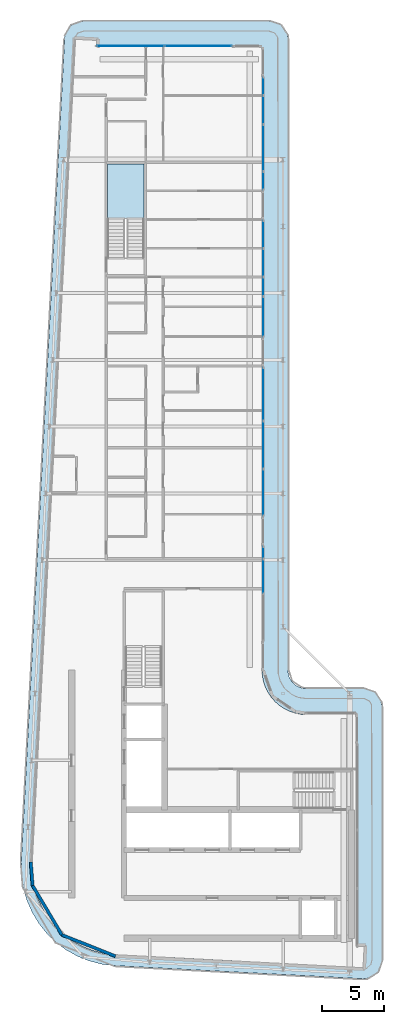
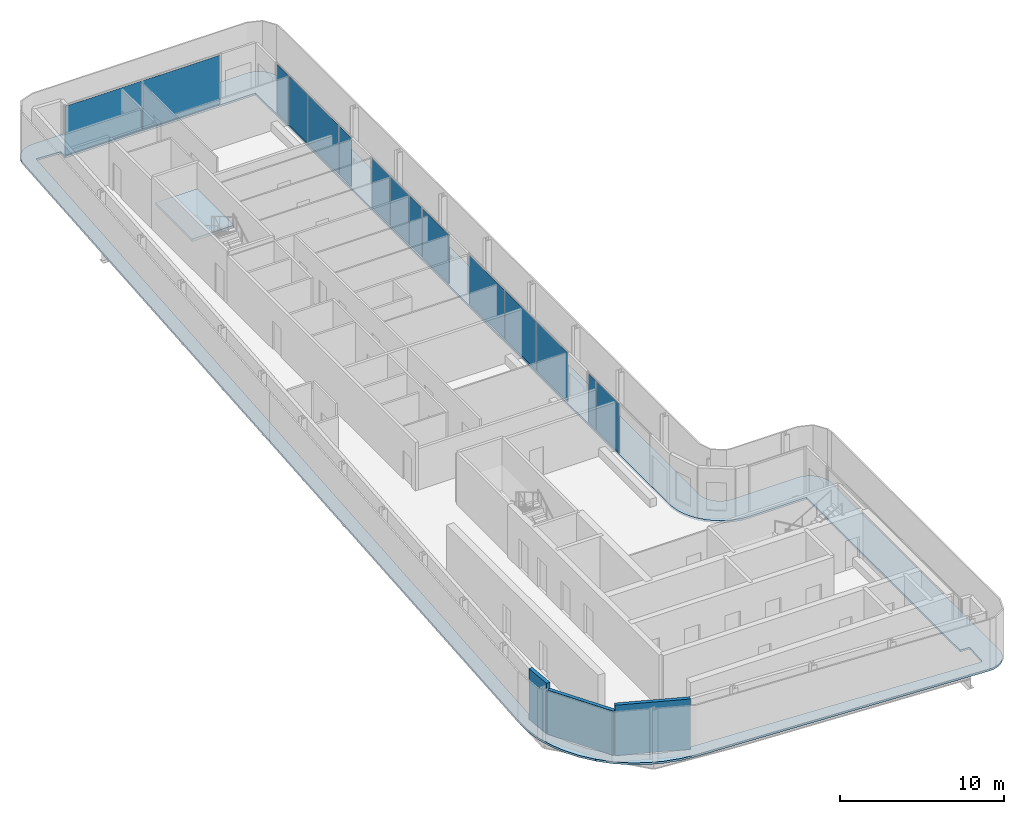
# One storey, part 8 of 18: 15 plates, 3 walls, 2 slabs, 9 elements without a shape of their own.
"""IFC4 building model written with IfcOpenShell, lengths in metres."""

from ifc_helpers import new_model, si_unit, direction, frame, frame_2d, origin, origin_2d, place, context, subcontext, project, spatial, polyline, rectangle, outline, extrude, material, layer, layer_set, type_object, element, aggregate, save


model = new_model("IFC4")

# Units and contexts
model_context = context("Model", 3, precision=1e-05, world=origin(), true_north=direction((0.0, 1.0)))
body_context = subcontext(model_context, "Body", "Model", "MODEL_VIEW")
ifc_project = project(units=[si_unit("LENGTHUNIT", "METRE"), si_unit("AREAUNIT", "SQUARE_METRE"), si_unit("VOLUMEUNIT", "CUBIC_METRE"), si_unit("PLANEANGLEUNIT", "RADIAN"), si_unit("MASSUNIT", "GRAM", prefix="KILO")], contexts=[model_context])

# Site, building, storey
site_placement = place(None, origin())
site = spatial("IfcSite", under=ifc_project, at=site_placement, CompositionType="ELEMENT")
building_placement = place(site_placement, origin())
building = spatial("IfcBuilding", under=site, at=building_placement, Name="Kheshtan School and Residences Tower", CompositionType="ELEMENT")
storey_placement = place(building_placement, frame((0.0, 0.0, 361.699951171875)))
storey = spatial("IfcBuildingStorey", under=building, at=storey_placement, Name="L85", CompositionType="ELEMENT", Elevation=361.699951171875)

# Curtain wall, plates
ifc_material_1 = material(Name="Clear low-e glass in thermally broken aluminium frame", Category="aluminium")
ifc_layer_1 = layer(ifc_material_1, 0.199951171875)
ifc_layer_set_1 = layer_set([ifc_layer_1], Name="Curtain wall CW-L")
curtain_wall_type = type_object("IfcCurtainWallType", Name="Curtain wall CW-L", PredefinedType="NOTDEFINED", material=ifc_layer_set_1)
curtain_wall_1_placement = place(storey_placement, origin())
curtain_wall_1 = element("IfcCurtainWall", 1, at=curtain_wall_1_placement, inside=storey, type_object=curtain_wall_type, Name="Curtain wall CWL7", PredefinedType="NOTDEFINED")
ifc_layer_2 = layer(ifc_material_1, 0.031982421875)
ifc_layer_set_2 = layer_set([ifc_layer_2], Name="CW-L glass panel")
plate_type = type_object("IfcPlateType", Name="CW-L glass panel", PredefinedType="CURTAIN_PANEL", material=ifc_layer_set_2)
plate_1_placement = place(storey_placement, frame((35.259033203125, 98.0, 0.0), z_axis=(0.0, 0.0, 1.0), x_axis=(1.0, 0.0, 0.0)))
plate_1 = element("IfcPlate", 2, at=plate_1_placement, type_object=plate_type, Name="CWL7 panel 1.1", PredefinedType="CURTAIN_PANEL", context=body_context, shape_type="SweptSolid", body=[
    extrude(rectangle(XDim=5.4140625, YDim=0.031982421875, at=origin_2d()), origin(), (0.0, 0.0, 1.0), 3.6298828125),
])
plate_2_placement = place(storey_placement, frame((40.73291015625, 98.0, 0.0), z_axis=(0.0, 0.0, 1.0), x_axis=(1.0, 0.0, 0.0)))
plate_2 = element("IfcPlate", 3, at=plate_2_placement, type_object=plate_type, Name="CWL7 panel 2.1", PredefinedType="CURTAIN_PANEL", context=body_context, shape_type="SweptSolid", body=[
    extrude(rectangle(XDim=5.4140625, YDim=0.031982421875, at=origin_2d()), origin(), (0.0, 0.0, 1.0), 3.6298828125),
])
aggregate(curtain_wall_1, [plate_1, plate_2])

curtain_wall_2_placement = place(storey_placement, origin())
curtain_wall_2 = element("IfcCurtainWall", 4, at=curtain_wall_2_placement, inside=storey, type_object=curtain_wall_type, Name="Curtain wall CWL8c", PredefinedType="NOTDEFINED")
plate_3_placement = place(storey_placement, frame((46.0, 94.735107421875, 0.0), z_axis=(0.0, 0.0, 1.0), x_axis=(0.0, -1.0, 0.0)))
plate_3 = element("IfcPlate", 5, at=plate_3_placement, type_object=plate_type, Name="CWL8c panel 1.1", PredefinedType="CURTAIN_PANEL", context=body_context, shape_type="SweptSolid", body=[
    extrude(rectangle(XDim=1.409912109375, YDim=0.031982421875, at=origin_2d()), origin(), (0.0, 0.0, 1.0), 3.6298828125),
])
plate_4_placement = place(storey_placement, frame((46.0, 92.826416015625, 0.0), z_axis=(0.0, 0.0, 1.0), x_axis=(0.0, -1.0, 0.0)))
plate_4 = element("IfcPlate", 6, at=plate_4_placement, type_object=plate_type, Name="CWL8c panel 2.1", PredefinedType="CURTAIN_PANEL", context=body_context, shape_type="SweptSolid", body=[
    extrude(rectangle(XDim=2.287109375, YDim=0.031982421875, at=origin_2d()), origin(), (0.0, 0.0, 1.0), 3.6298828125),
])
plate_5_placement = place(storey_placement, frame((46.0, 89.744384765625, 0.0), z_axis=(0.0, 0.0, 1.0), x_axis=(0.0, -1.0, 0.0)))
plate_5 = element("IfcPlate", 7, at=plate_5_placement, type_object=plate_type, Name="CWL8c panel 3.1", PredefinedType="CURTAIN_PANEL", context=body_context, shape_type="SweptSolid", body=[
    extrude(rectangle(XDim=3.757080078125, YDim=0.031982421875, at=origin_2d()), origin(), (0.0, 0.0, 1.0), 3.6298828125),
])
aggregate(curtain_wall_2, [plate_3, plate_4, plate_5])

# Curtain wall, plate
curtain_wall_3_placement = place(storey_placement, origin())
curtain_wall_3 = element("IfcCurtainWall", 8, at=curtain_wall_3_placement, inside=storey, type_object=curtain_wall_type, Name="Curtain wall CWL8a", PredefinedType="NOTDEFINED")
plate_6_placement = place(storey_placement, frame((46.0, 87.0859375, 0.0), z_axis=(0.0, 0.0, 1.0), x_axis=(0.0, -1.0, 0.0)))
plate_6 = element("IfcPlate", 9, at=plate_6_placement, type_object=plate_type, Name="CWL8a panel 1.1", PredefinedType="CURTAIN_PANEL", context=body_context, shape_type="SweptSolid", body=[
    extrude(rectangle(XDim=1.43994140625, YDim=0.031982421875, at=origin_2d()), origin(), (0.0, 0.0, 1.0), 3.6298828125),
])
aggregate(curtain_wall_3, [plate_6])

# Curtain wall, plates
curtain_wall_4_placement = place(storey_placement, origin())
curtain_wall_4 = element("IfcCurtainWall", 10, at=curtain_wall_4_placement, inside=storey, type_object=curtain_wall_type, Name="Curtain wall CWL8b", PredefinedType="NOTDEFINED")
plate_7_placement = place(storey_placement, frame((46.0, 82.75048828125, 0.0), z_axis=(0.0, 0.0, 1.0), x_axis=(0.0, -1.0, 0.0)))
plate_7 = element("IfcPlate", 11, at=plate_7_placement, type_object=plate_type, Name="CWL8b panel 1.1", PredefinedType="CURTAIN_PANEL", context=body_context, shape_type="SweptSolid", body=[
    extrude(rectangle(XDim=2.19091796875, YDim=0.031982421875, at=origin_2d()), origin(), (0.0, 0.0, 1.0), 3.6298828125),
])
plate_8_placement = place(storey_placement, frame((46.0, 80.46240234375, 0.0), z_axis=(0.0, 0.0, 1.0), x_axis=(0.0, -1.0, 0.0)))
plate_8 = element("IfcPlate", 12, at=plate_8_placement, type_object=plate_type, Name="CWL8b panel 2.1", PredefinedType="CURTAIN_PANEL", context=body_context, shape_type="SweptSolid", body=[
    extrude(rectangle(XDim=2.264892578125, YDim=0.031982421875, at=origin_2d()), origin(), (0.0, 0.0, 1.0), 3.6298828125),
])
plate_9_placement = place(storey_placement, frame((46.0, 78.52099609375, 0.0), z_axis=(0.0, 0.0, 1.0), x_axis=(0.0, -1.0, 0.0)))
plate_9 = element("IfcPlate", 13, at=plate_9_placement, type_object=plate_type, Name="CWL8b panel 3.1", PredefinedType="CURTAIN_PANEL", context=body_context, shape_type="SweptSolid", body=[
    extrude(rectangle(XDim=1.498046875, YDim=0.031982421875, at=origin_2d()), origin(), (0.0, 0.0, 1.0), 3.6298828125),
])
aggregate(curtain_wall_4, [plate_7, plate_8, plate_9])

# Curtain wall, plate
curtain_wall_5_placement = place(storey_placement, origin())
curtain_wall_5 = element("IfcCurtainWall", 14, at=curtain_wall_5_placement, inside=storey, type_object=curtain_wall_type, Name="Curtain wall CWL8q", PredefinedType="NOTDEFINED")
plate_10_placement = place(storey_placement, frame((46.0, 76.092041015625, 0.0), z_axis=(0.0, 0.0, 1.0), x_axis=(0.0, -1.0, 0.0)))
plate_10 = element("IfcPlate", 15, at=plate_10_placement, type_object=plate_type, Name="CWL8q panel 1.1", PredefinedType="CURTAIN_PANEL", context=body_context, shape_type="SweptSolid", body=[
    extrude(rectangle(XDim=3.239990234375, YDim=0.031982421875, at=origin_2d()), origin(), (0.0, 0.0, 1.0), 3.6298828125),
])
aggregate(curtain_wall_5, [plate_10])

curtain_wall_6_placement = place(storey_placement, origin())
curtain_wall_6 = element("IfcCurtainWall", 16, at=curtain_wall_6_placement, inside=storey, type_object=curtain_wall_type, Name="Curtain wall CWL8r", PredefinedType="NOTDEFINED")
plate_11_placement = place(storey_placement, frame((46.0, 69.81494140625, 0.0), z_axis=(0.0, 0.0, 1.0), x_axis=(0.0, -1.0, 0.0)))
plate_11 = element("IfcPlate", 17, at=plate_11_placement, type_object=plate_type, Name="CWL8r panel 1.1", PredefinedType="CURTAIN_PANEL", context=body_context, shape_type="SweptSolid", body=[
    extrude(rectangle(XDim=4.27392578125, YDim=0.031982421875, at=origin_2d()), origin(), (0.0, 0.0, 1.0), 3.6298828125),
])
aggregate(curtain_wall_6, [plate_11])

# Curtain wall, plates
curtain_wall_7_placement = place(storey_placement, origin())
curtain_wall_7 = element("IfcCurtainWall", 18, at=curtain_wall_7_placement, inside=storey, type_object=curtain_wall_type, Name="Curtain wall CWL8", PredefinedType="NOTDEFINED")
plate_12_placement = place(storey_placement, frame((46.0, 65.70947265625, 0.0), z_axis=(0.0, 0.0, 1.0), x_axis=(0.0, -1.0, 0.0)))
plate_12 = element("IfcPlate", 19, at=plate_12_placement, type_object=plate_type, Name="CWL8 panel 1.1", PredefinedType="CURTAIN_PANEL", context=body_context, shape_type="SweptSolid", body=[
    extrude(rectangle(XDim=3.81689453125, YDim=0.031982421875, at=origin_2d()), origin(), (0.0, 0.0, 1.0), 3.6298828125),
])
plate_13_placement = place(storey_placement, frame((46.0, 61.862548828125, 0.0), z_axis=(0.0, 0.0, 1.0), x_axis=(0.0, -1.0, 0.0)))
plate_13 = element("IfcPlate", 20, at=plate_13_placement, type_object=plate_type, Name="CWL8 panel 2.1", PredefinedType="CURTAIN_PANEL", context=body_context, shape_type="SweptSolid", body=[
    extrude(rectangle(XDim=3.757080078125, YDim=0.031982421875, at=origin_2d()), origin(), (0.0, 0.0, 1.0), 3.6298828125),
])
aggregate(curtain_wall_7, [plate_12, plate_13])

curtain_wall_8_placement = place(storey_placement, origin())
curtain_wall_8 = element("IfcCurtainWall", 21, at=curtain_wall_8_placement, inside=storey, type_object=curtain_wall_type, Name="Curtain wall CWL8c", PredefinedType="NOTDEFINED")
plate_14_placement = place(storey_placement, frame((46.0, 56.9970703125, 0.0), z_axis=(0.0, 0.0, 1.0), x_axis=(0.0, -1.0, 0.0)))
plate_14 = element("IfcPlate", 22, at=plate_14_placement, type_object=plate_type, Name="CWL8c panel 1.1", PredefinedType="CURTAIN_PANEL", context=body_context, shape_type="SweptSolid", body=[
    extrude(rectangle(XDim=0.93408203125, YDim=0.031982421875, at=origin_2d()), origin(), (0.0, 0.0, 1.0), 3.6298828125),
])
plate_15_placement = place(storey_placement, frame((46.0, 55.08837890625, 0.0), z_axis=(0.0, 0.0, 1.0), x_axis=(0.0, -1.0, 0.0)))
plate_15 = element("IfcPlate", 23, at=plate_15_placement, type_object=plate_type, Name="CWL8c panel 2.1", PredefinedType="CURTAIN_PANEL", context=body_context, shape_type="SweptSolid", body=[
    extrude(rectangle(XDim=2.762939453125, YDim=0.031982421875, at=origin_2d()), origin(), (0.0, 0.0, 1.0), 3.6298828125),
])
aggregate(curtain_wall_8, [plate_14, plate_15])

# Slab
ifc_material_2 = material(Name="Concrete C40/50", Category="concrete")
ifc_layer_3 = layer(ifc_material_2, 0.14990234375)
ifc_layer_set_3 = layer_set([ifc_layer_3], Name="Loggia balcony slab 150 Concrete C40/50")
slab_type_1 = type_object("IfcSlabType", Name="Loggia balcony slab 150 Concrete C40/50", PredefinedType="FLOOR", material=ifc_layer_set_3)
slab_1_placement = place(storey_placement, frame((0.0, 0.0, -0.14990234375)))
element("IfcSlab", 24, at=slab_1_placement, inside=storey, type_object=slab_type_1, Name="Loggia balcony slab L85", PredefinedType="FLOOR", context=body_context, shape_type="SweptSolid", body=[
    extrude(outline(polyline([(28.4580078125, 26.222900390625), (28.45703125, 26.222900390625), (28.45703125, 26.22412109375), (28.4560546875, 26.22412109375), (27.81494140625, 27.0390625), (27.281005859375, 27.93798828125), (26.867919921875, 28.89990234375), (26.583984375, 29.89990234375), (26.583984375, 29.906982421875), (26.43408203125, 30.943115234375), (26.419921875, 31.989013671875), (29.925048828125, 98.5791015625), (29.930908203125, 98.626953125), (29.930908203125, 98.6279296875), (29.929931640625, 98.6279296875), (29.929931640625, 98.62890625), (29.928955078125, 98.62890625), (29.928955078125, 98.6298828125), (29.927978515625, 98.6298828125), (29.927978515625, 98.631103515625), (29.927001953125, 98.631103515625), (29.927001953125, 98.632080078125), (29.927001953125, 98.633056640625), (29.945068359375, 98.781005859375), (29.945068359375, 98.783935546875), (29.945068359375, 98.784912109375), (29.946044921875, 98.784912109375), (29.946044921875, 98.785888671875), (29.947021484375, 98.785888671875), (29.947021484375, 98.787109375), (29.947998046875, 98.787109375), (29.948974609375, 98.787109375), (29.948974609375, 98.7880859375), (29.949951171875, 98.7880859375), (29.949951171875, 98.7890625), (29.949951171875, 98.791015625), (30.0029296875, 98.98388671875), (30.083984375, 99.175048828125), (30.18896484375, 99.35302734375), (30.31103515625, 99.507080078125), (30.31201171875, 99.507080078125), (30.31201171875, 99.508056640625), (30.31298828125, 99.508056640625), (30.31298828125, 99.509033203125), (30.31396484375, 99.509033203125), (30.31396484375, 99.510009765625), (30.31494140625, 99.510009765625), (30.31494140625, 99.510986328125), (30.31591796875, 99.510986328125), (30.31591796875, 99.511962890625), (30.31689453125, 99.511962890625), (30.31689453125, 99.512939453125), (30.318115234375, 99.512939453125), (30.320068359375, 99.512939453125), (30.321044921875, 99.512939453125), (30.321044921875, 99.513916015625), (30.468017578125, 99.656982421875), (30.468994140625, 99.656982421875), (30.468994140625, 99.657958984375), (30.469970703125, 99.657958984375), (30.469970703125, 99.658935546875), (30.470947265625, 99.658935546875), (30.470947265625, 99.659912109375), (30.471923828125, 99.659912109375), (30.471923828125, 99.660888671875), (30.472900390625, 99.660888671875), (30.472900390625, 99.662109375), (30.47412109375, 99.662109375), (30.47412109375, 99.6630859375), (30.47509765625, 99.6630859375), (30.47509765625, 99.6640625), (30.635986328125, 99.777099609375), (30.820068359375, 99.873046875), (31.007080078125, 99.943115234375), (31.013916015625, 99.943115234375), (31.217041015625, 99.986083984375), (31.423095703125, 100.0), (46.5, 100.0), (46.696044921875, 99.987060546875), (46.887939453125, 99.948974609375), (46.89501953125, 99.948974609375), (47.073974609375, 99.885986328125), (47.242919921875, 99.801025390625), (47.243896484375, 99.801025390625), (47.2470703125, 99.801025390625), (47.248046875, 99.801025390625), (47.248046875, 99.802001953125), (47.2490234375, 99.802001953125), (47.2490234375, 99.802978515625), (47.25, 99.802978515625), (47.2529296875, 99.802978515625), (47.25390625, 99.802978515625), (47.25390625, 99.802001953125), (47.2548828125, 99.802001953125), (47.2548828125, 99.801025390625), (47.256103515625, 99.801025390625), (47.256103515625, 99.800048828125), (47.257080078125, 99.800048828125), (47.257080078125, 99.799072265625), (47.258056640625, 99.799072265625), (47.258056640625, 99.798095703125), (47.412109375, 99.696044921875), (47.4130859375, 99.696044921875), (47.4130859375, 99.695068359375), (47.4140625, 99.695068359375), (47.4140625, 99.694091796875), (47.4140625, 99.68994140625), (47.4140625, 99.68896484375), (47.4150390625, 99.68896484375), (47.4150390625, 99.68798828125), (47.416015625, 99.68798828125), (47.416015625, 99.68701171875), (47.4169921875, 99.68701171875), (47.4169921875, 99.68603515625), (47.554931640625, 99.568115234375), (47.554931640625, 99.56689453125), (47.555908203125, 99.56689453125), (47.555908203125, 99.56591796875), (47.556884765625, 99.56591796875), (47.556884765625, 99.56494140625), (47.55810546875, 99.56494140625), (47.55810546875, 99.56396484375), (47.55908203125, 99.56396484375), (47.55908203125, 99.56298828125), (47.56005859375, 99.56298828125), (47.56005859375, 99.56201171875), (47.56103515625, 99.56201171875), (47.56201171875, 99.56103515625), (47.56201171875, 99.56005859375), (47.56298828125, 99.56005859375), (47.56298828125, 99.55908203125), (47.56396484375, 99.55908203125), (47.56396484375, 99.55810546875), (47.56494140625, 99.55810546875), (47.56494140625, 99.556884765625), (47.56591796875, 99.556884765625), (47.56591796875, 99.555908203125), (47.56689453125, 99.555908203125), (47.56689453125, 99.554931640625), (47.568115234375, 99.554931640625), (47.68505859375, 99.41796875), (47.68603515625, 99.41796875), (47.68603515625, 99.4169921875), (47.68701171875, 99.4169921875), (47.68701171875, 99.416015625), (47.68798828125, 99.416015625), (47.68798828125, 99.4150390625), (47.68896484375, 99.4150390625), (47.68896484375, 99.4140625), (47.68994140625, 99.4140625), (47.694091796875, 99.4140625), (47.695068359375, 99.4140625), (47.695068359375, 99.4130859375), (47.696044921875, 99.4130859375), (47.696044921875, 99.412109375), (47.797119140625, 99.259033203125), (47.798095703125, 99.259033203125), (47.798095703125, 99.258056640625), (47.799072265625, 99.258056640625), (47.799072265625, 99.257080078125), (47.800048828125, 99.257080078125), (47.800048828125, 99.256103515625), (47.801025390625, 99.256103515625), (47.801025390625, 99.2548828125), (47.802001953125, 99.2548828125), (47.802001953125, 99.25390625), (47.802978515625, 99.25390625), (47.802978515625, 99.2529296875), (47.802978515625, 99.25), (47.802978515625, 99.2490234375), (47.802001953125, 99.2490234375), (47.802001953125, 99.248046875), (47.801025390625, 99.248046875), (47.801025390625, 99.2470703125), (47.801025390625, 99.243896484375), (47.801025390625, 99.242919921875), (47.885986328125, 99.073974609375), (47.948974609375, 98.89501953125), (47.948974609375, 98.887939453125), (47.987060546875, 98.696044921875), (48.0, 98.5), (48.0, 47.5), (48.012939453125, 47.303955078125), (48.051025390625, 47.113037109375), (48.051025390625, 47.10693359375), (48.051025390625, 47.10595703125), (48.114013671875, 46.926025390625), (48.200927734375, 46.75), (48.31005859375, 46.5869140625), (48.431884765625, 46.444091796875), (48.43310546875, 46.444091796875), (48.43310546875, 46.443115234375), (48.43408203125, 46.443115234375), (48.43408203125, 46.44189453125), (48.43505859375, 46.44189453125), (48.43505859375, 46.44091796875), (48.43603515625, 46.44091796875), (48.43603515625, 46.43994140625), (48.43701171875, 46.43994140625), (48.43701171875, 46.43896484375), (48.43798828125, 46.43896484375), (48.43896484375, 46.43798828125), (48.43896484375, 46.43701171875), (48.43994140625, 46.43701171875), (48.43994140625, 46.43603515625), (48.44091796875, 46.43603515625), (48.44091796875, 46.43505859375), (48.44189453125, 46.43505859375), (48.44189453125, 46.43408203125), (48.443115234375, 46.43408203125), (48.443115234375, 46.43310546875), (48.444091796875, 46.43310546875), (48.444091796875, 46.431884765625), (48.5869140625, 46.31005859375), (48.75, 46.200927734375), (48.926025390625, 46.114013671875), (49.10595703125, 46.051025390625), (49.10693359375, 46.051025390625), (49.113037109375, 46.051025390625), (49.303955078125, 46.012939453125), (49.5, 46.0), (54.10009765625, 46.0), (54.2958984375, 45.987060546875), (54.488037109375, 45.948974609375), (54.4951171875, 45.948974609375), (54.674072265625, 45.885986328125), (54.842041015625, 45.801025390625), (54.843017578125, 45.801025390625), (54.846923828125, 45.801025390625), (54.847900390625, 45.801025390625), (54.847900390625, 45.802001953125), (54.84912109375, 45.802001953125), (54.84912109375, 45.802978515625), (54.85009765625, 45.802978515625), (54.85302734375, 45.802978515625), (54.85400390625, 45.802978515625), (54.85400390625, 45.802001953125), (54.85498046875, 45.802001953125), (54.85498046875, 45.801025390625), (54.85595703125, 45.801025390625), (54.85595703125, 45.800048828125), (54.85693359375, 45.800048828125), (54.85693359375, 45.799072265625), (54.85791015625, 45.799072265625), (54.85791015625, 45.798095703125), (54.85888671875, 45.798095703125), (54.85888671875, 45.797119140625), (54.860107421875, 45.797119140625), (54.860107421875, 45.7958984375), (55.011962890625, 45.696044921875), (55.012939453125, 45.696044921875), (55.012939453125, 45.695068359375), (55.013916015625, 45.695068359375), (55.013916015625, 45.694091796875), (55.013916015625, 45.68994140625), (55.013916015625, 45.68896484375), (55.014892578125, 45.68896484375), (55.014892578125, 45.68798828125), (55.01611328125, 45.68798828125), (55.01611328125, 45.68701171875), (55.01708984375, 45.68701171875), (55.01708984375, 45.68603515625), (55.01806640625, 45.68603515625), (55.01806640625, 45.68505859375), (55.01904296875, 45.68505859375), (55.01904296875, 45.68408203125), (55.155029296875, 45.568115234375), (55.155029296875, 45.56689453125), (55.156005859375, 45.56689453125), (55.156005859375, 45.56591796875), (55.156982421875, 45.56591796875), (55.156982421875, 45.56494140625), (55.157958984375, 45.56494140625), (55.157958984375, 45.56396484375), (55.158935546875, 45.56396484375), (55.158935546875, 45.56298828125), (55.159912109375, 45.56298828125), (55.159912109375, 45.56201171875), (55.160888671875, 45.56201171875), (55.162109375, 45.56103515625), (55.162109375, 45.56005859375), (55.1630859375, 45.56005859375), (55.1630859375, 45.55908203125), (55.1640625, 45.55908203125), (55.1640625, 45.55810546875), (55.1650390625, 45.55810546875), (55.1650390625, 45.556884765625), (55.166015625, 45.556884765625), (55.166015625, 45.555908203125), (55.1669921875, 45.555908203125), (55.1669921875, 45.554931640625), (55.16796875, 45.554931640625), (55.281982421875, 45.4208984375), (55.282958984375, 45.4208984375), (55.282958984375, 45.419921875), (55.283935546875, 45.419921875), (55.283935546875, 45.4189453125), (55.284912109375, 45.4189453125), (55.284912109375, 45.41796875), (55.285888671875, 45.41796875), (55.285888671875, 45.4169921875), (55.287109375, 45.4169921875), (55.287109375, 45.416015625), (55.2880859375, 45.416015625), (55.2880859375, 45.4150390625), (55.2890625, 45.4150390625), (55.2890625, 45.4140625), (55.2900390625, 45.4140625), (55.2939453125, 45.4140625), (55.294921875, 45.4140625), (55.294921875, 45.4130859375), (55.2958984375, 45.4130859375), (55.2958984375, 45.412109375), (55.39404296875, 45.261962890625), (55.39501953125, 45.261962890625), (55.39501953125, 45.260986328125), (55.39599609375, 45.260986328125), (55.39599609375, 45.260009765625), (55.39697265625, 45.260009765625), (55.39697265625, 45.259033203125), (55.39794921875, 45.259033203125), (55.39794921875, 45.258056640625), (55.39892578125, 45.258056640625), (55.39892578125, 45.257080078125), (55.39990234375, 45.257080078125), (55.39990234375, 45.256103515625), (55.40087890625, 45.256103515625), (55.40087890625, 45.2548828125), (55.402099609375, 45.2548828125), (55.402099609375, 45.25390625), (55.403076171875, 45.25390625), (55.403076171875, 45.2529296875), (55.403076171875, 45.25), (55.403076171875, 45.2490234375), (55.402099609375, 45.2490234375), (55.402099609375, 45.248046875), (55.40087890625, 45.248046875), (55.40087890625, 45.2470703125), (55.40087890625, 45.240966796875), (55.40087890625, 45.239990234375), (55.486083984375, 45.073974609375), (55.549072265625, 44.89501953125), (55.549072265625, 44.887939453125), (55.5869140625, 44.696044921875), (55.60009765625, 44.5), (55.60009765625, 24.02294921875), (55.5859375, 23.821044921875), (55.544921875, 23.6220703125), (55.544921875, 23.614990234375), (55.47802734375, 23.430908203125), (55.385986328125, 23.25), (55.27099609375, 23.0849609375), (55.27099609375, 23.083984375), (55.27099609375, 23.0830078125), (55.27099609375, 23.08203125), (55.27197265625, 23.08203125), (55.27197265625, 23.0810546875), (55.27197265625, 23.0791015625), (55.27197265625, 23.077880859375), (55.27099609375, 23.077880859375), (55.27099609375, 23.076904296875), (55.137939453125, 22.93408203125), (55.135009765625, 22.930908203125), (55.134033203125, 22.930908203125), (55.134033203125, 22.929931640625), (55.133056640625, 22.929931640625), (55.131103515625, 22.929931640625), (55.1298828125, 22.929931640625), (55.1298828125, 22.930908203125), (55.12890625, 22.930908203125), (55.1279296875, 22.930908203125), (55.126953125, 22.930908203125), (54.97607421875, 22.805908203125), (54.803955078125, 22.698974609375), (54.618896484375, 22.615966796875), (54.430908203125, 22.55908203125), (54.424072265625, 22.55908203125), (54.22412109375, 22.528076171875), (54.02099609375, 22.52490234375), (33.989013671875, 23.580078125), (33.94189453125, 23.5859375), (33.94091796875, 23.5859375), (33.93994140625, 23.5859375), (33.93994140625, 23.5849609375), (33.93896484375, 23.5849609375), (33.93896484375, 23.583984375), (33.93798828125, 23.583984375), (33.93798828125, 23.5830078125), (33.93701171875, 23.5830078125), (33.93701171875, 23.58203125), (33.93603515625, 23.58203125), (33.93505859375, 23.58203125), (32.952880859375, 23.697998046875), (32.949951171875, 23.697998046875), (32.948974609375, 23.697998046875), (32.948974609375, 23.698974609375), (32.947998046875, 23.698974609375), (32.947998046875, 23.699951171875), (32.947021484375, 23.699951171875), (32.947021484375, 23.700927734375), (32.947021484375, 23.702880859375), (32.947021484375, 23.7041015625), (32.946044921875, 23.7041015625), (32.946044921875, 23.705078125), (32.945068359375, 23.705078125), (32.944091796875, 23.705078125), (31.93603515625, 23.9609375), (31.928955078125, 23.9609375), (30.964111328125, 24.34912109375), (30.051025390625, 24.860107421875), (29.218994140625, 25.47900390625), (29.218994140625, 25.47998046875), (29.218017578125, 25.47998046875), (29.218017578125, 25.48095703125), (29.217041015625, 25.48095703125), (29.217041015625, 25.48193359375), (29.216064453125, 25.48193359375), (29.216064453125, 25.48291015625), (29.215087890625, 25.48291015625), (29.215087890625, 25.48388671875), (29.214111328125, 25.48388671875), (29.214111328125, 25.485107421875), (29.212890625, 25.485107421875), (29.212890625, 25.486083984375), (29.2119140625, 25.486083984375), (28.466064453125, 26.217041015625), (28.466064453125, 26.218017578125), (28.465087890625, 26.218017578125), (28.462890625, 26.218017578125), (28.4619140625, 26.218017578125), (28.4619140625, 26.218994140625), (28.4609375, 26.218994140625), (28.4609375, 26.219970703125), (28.4599609375, 26.219970703125), (28.4599609375, 26.220947265625), (28.458984375, 26.220947265625), (28.458984375, 26.221923828125), (28.4580078125, 26.221923828125), (28.4580078125, 26.222900390625)]), holes=[polyline([(29.12890625, 26.824951171875), (29.12890625, 26.823974609375), (29.1298828125, 26.823974609375), (29.1298828125, 26.822998046875), (29.131103515625, 26.822998046875), (29.131103515625, 26.822021484375), (29.132080078125, 26.822021484375), (29.132080078125, 26.821044921875), (29.133056640625, 26.821044921875), (29.133056640625, 26.820068359375), (29.134033203125, 26.820068359375), (29.794921875, 26.173095703125), (29.794921875, 26.172119140625), (29.7958984375, 26.172119140625), (29.798095703125, 26.172119140625), (29.799072265625, 26.172119140625), (29.799072265625, 26.1708984375), (29.800048828125, 26.1708984375), (29.800048828125, 26.169921875), (29.801025390625, 26.169921875), (29.801025390625, 26.1689453125), (29.802001953125, 26.1689453125), (29.802001953125, 26.16796875), (29.802978515625, 26.16796875), (29.802978515625, 26.1669921875), (29.803955078125, 26.1669921875), (29.803955078125, 26.166015625), (30.541015625, 25.616943359375), (31.35205078125, 25.1630859375), (32.208984375, 24.819091796875), (32.2099609375, 24.819091796875), (32.216064453125, 24.819091796875), (33.114990234375, 24.590087890625), (34.06591796875, 24.47705078125), (54.0380859375, 23.425048828125), (54.06494140625, 23.426025390625), (54.06591796875, 23.426025390625), (54.06689453125, 23.426025390625), (54.06689453125, 23.427001953125), (54.068115234375, 23.427001953125), (54.068115234375, 23.427978515625), (54.068115234375, 23.428955078125), (54.157958984375, 25.117919921875), (54.157958984375, 25.118896484375), (54.157958984375, 25.1201171875), (54.156982421875, 25.1201171875), (54.156982421875, 25.12109375), (54.156005859375, 25.12109375), (54.155029296875, 25.12109375), (53.5009765625, 25.156005859375), (53.5, 25.156005859375), (53.5, 25.156982421875), (53.5, 43.89794921875), (53.5, 43.89892578125), (53.4990234375, 43.89892578125), (53.4990234375, 43.89990234375), (53.498046875, 43.89990234375), (49.429931640625, 43.89990234375), (49.030029296875, 43.927001953125), (48.569091796875, 44.01806640625), (48.56201171875, 44.01806640625), (48.1201171875, 44.169921875), (47.697021484375, 44.37890625), (47.30810546875, 44.638916015625), (46.95703125, 44.944091796875), (46.95703125, 44.945068359375), (46.9560546875, 44.945068359375), (46.9560546875, 44.946044921875), (46.955078125, 44.946044921875), (46.955078125, 44.947021484375), (46.9541015625, 44.947021484375), (46.9541015625, 44.947998046875), (46.952880859375, 44.947998046875), (46.952880859375, 44.948974609375), (46.951904296875, 44.948974609375), (46.951904296875, 44.949951171875), (46.951904296875, 44.950927734375), (46.950927734375, 44.950927734375), (46.950927734375, 44.951904296875), (46.949951171875, 44.951904296875), (46.948974609375, 44.951904296875), (46.948974609375, 44.952880859375), (46.947998046875, 44.952880859375), (46.947998046875, 44.9541015625), (46.947021484375, 44.9541015625), (46.947021484375, 44.955078125), (46.946044921875, 44.955078125), (46.946044921875, 44.9560546875), (46.945068359375, 44.9560546875), (46.945068359375, 44.95703125), (46.944091796875, 44.95703125), (46.638916015625, 45.30810546875), (46.37890625, 45.697021484375), (46.169921875, 46.1201171875), (46.01806640625, 46.56201171875), (46.01806640625, 46.569091796875), (45.927001953125, 47.030029296875), (45.89990234375, 47.429931640625), (45.89990234375, 97.89794921875), (45.89990234375, 97.89892578125), (45.89892578125, 97.89892578125), (45.89892578125, 97.89990234375), (45.89794921875, 97.89990234375), (32.492919921875, 97.89990234375), (32.491943359375, 97.89990234375), (32.52099609375, 98.43896484375), (32.52099609375, 98.43994140625), (32.52099609375, 98.44091796875), (32.52001953125, 98.44091796875), (32.52001953125, 98.44189453125), (32.51904296875, 98.44189453125), (32.51806640625, 98.44189453125), (30.8291015625, 98.531982421875), (30.827880859375, 98.531982421875), (30.826904296875, 98.531982421875), (30.826904296875, 98.531005859375), (30.825927734375, 98.531005859375), (30.825927734375, 98.530029296875), (30.825927734375, 98.529052734375), (30.822021484375, 98.5009765625), (27.320068359375, 31.970947265625), (27.3330078125, 31.013916015625), (27.466064453125, 30.093994140625), (27.466064453125, 30.087890625), (27.466064453125, 30.0869140625), (27.718017578125, 29.200927734375), (28.0849609375, 28.345947265625), (28.55908203125, 27.550048828125), (29.126953125, 26.825927734375), (29.1279296875, 26.825927734375), (29.1279296875, 26.824951171875), (29.12890625, 26.824951171875)])]), origin(), (0.0, 0.0, 1.0), 0.14990234375),
])

# Stair, slab
stair_type = type_object("IfcStairType", Name="Exit stair, half-turn", PredefinedType="HALF_TURN_STAIR", material=ifc_material_2)
stair_placement = place(storey_placement, origin())
stair = element("IfcStair", 25, at=stair_placement, inside=storey, type_object=stair_type, Name="L85 Protected Exit Stair ST3", PredefinedType="HALF_TURN_STAIR")
ifc_layer_4 = layer(ifc_material_2, 0.199951171875)
ifc_layer_set_4 = layer_set([ifc_layer_4], Name="Stair landing 200 Concrete C40/50")
slab_type_2 = type_object("IfcSlabType", Name="Stair landing 200 Concrete C40/50", PredefinedType="LANDING", material=ifc_layer_set_4)
slab_2_placement = place(storey_placement, frame((0.0, 0.0, 1.75)))
slab_2 = element("IfcSlab", 26, at=slab_2_placement, type_object=slab_type_2, Name="ST3 landing 1", PredefinedType="LANDING", context=body_context, shape_type="SweptSolid", body=[
    extrude(outline(polyline([(36.35009765625, 83.97998046875), (36.35009765625, 88.4599609375), (33.39990234375, 88.4599609375), (33.39990234375, 83.97998046875), (36.35009765625, 83.97998046875)])), origin(), (0.0, 0.0, 1.0), 0.199951171875),
])
aggregate(stair, [slab_2])

# Walls
ifc_material_3 = material(Name="Concrete C40/50 with ceramic cladding and mineral wool insulation", Category="concrete")
ifc_layer_5 = layer(ifc_material_3, 0.25)
ifc_layer_set_5 = layer_set([ifc_layer_5], Name="External wall 250 ceramic clad")
wall_type = type_object("IfcWallType", Name="External wall 250 ceramic clad", PredefinedType="SOLIDWALL", material=ifc_layer_set_5)
wall_1_placement = place(storey_placement, frame((34.0390625, 24.35302734375, 0.0), z_axis=(0.0, 0.0, 1.0), x_axis=(-0.929352825399, 0.369192803184, 0.0)))
element("IfcWall", 27, at=wall_1_placement, inside=storey, type_object=wall_type, Name="External wall L85 1", PredefinedType="SOLIDWALL", context=body_context, shape_type="SweptSolid", body=[
    extrude(rectangle(XDim=4.656005859375, YDim=0.25, at=frame_2d((2.328125, 0.0))), origin(), (0.0, 0.0, 1.0), 3.75),
])
wall_2_placement = place(storey_placement, frame((29.7119140625, 26.072021484375, 0.0), z_axis=(0.0, 0.0, 1.0), x_axis=(-0.511028049012, 0.859564036662, 0.0)))
element("IfcWall", 28, at=wall_2_placement, inside=storey, type_object=wall_type, Name="External wall L85 2", PredefinedType="SOLIDWALL", context=body_context, shape_type="SweptSolid", body=[
    extrude(rectangle(XDim=4.633544921875, YDim=0.25, at=frame_2d((2.31689453125, 0.0))), origin(), (0.0, 0.0, 1.0), 3.29296875),
])
wall_3_placement = place(storey_placement, frame((27.343994140625, 30.054931640625, 0.0), z_axis=(0.0, 0.0, 1.0), x_axis=(-0.077571675317, 0.99698677784, 0.0)))
element("IfcWall", 29, at=wall_3_placement, inside=storey, type_object=wall_type, Name="External wall L85 3", PredefinedType="SOLIDWALL", context=body_context, shape_type="SweptSolid", body=[
    extrude(rectangle(XDim=1.919921875, YDim=0.25, at=frame_2d((0.9599609375, 0.0))), origin(), (0.0, 0.0, 1.0), 3.75),
])

save(model, "model.ifc")
